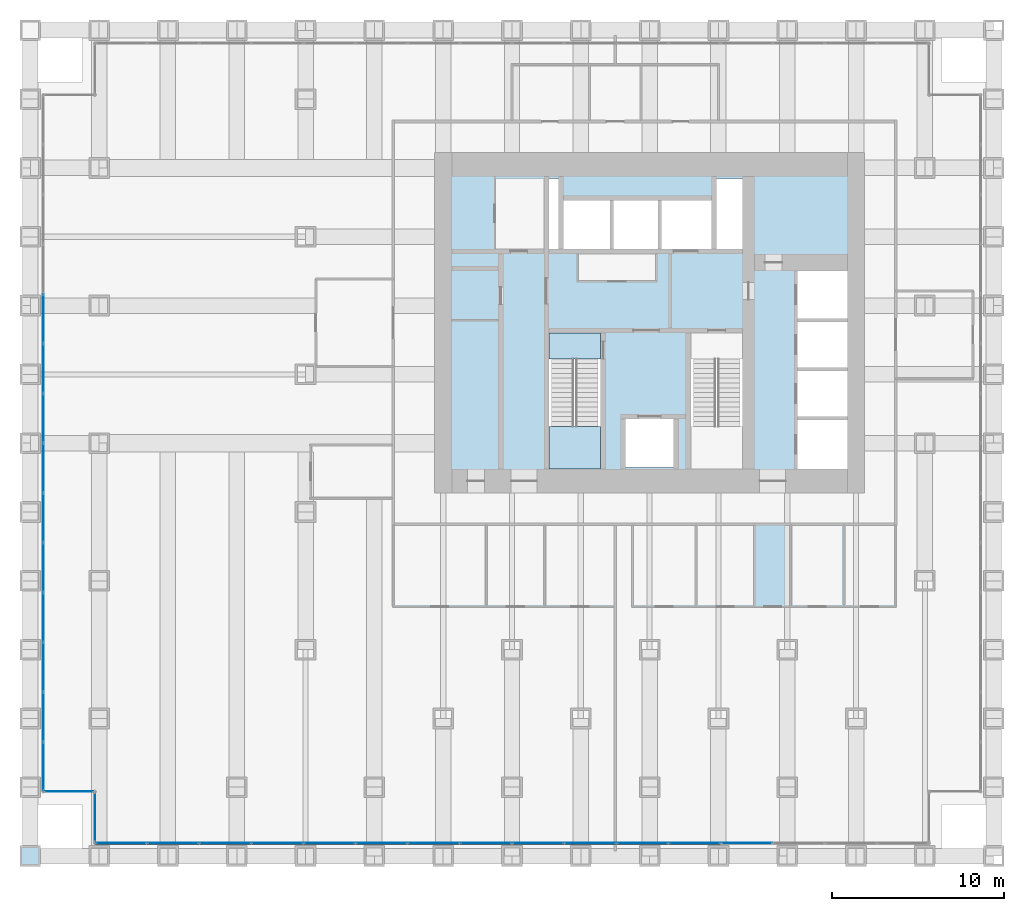
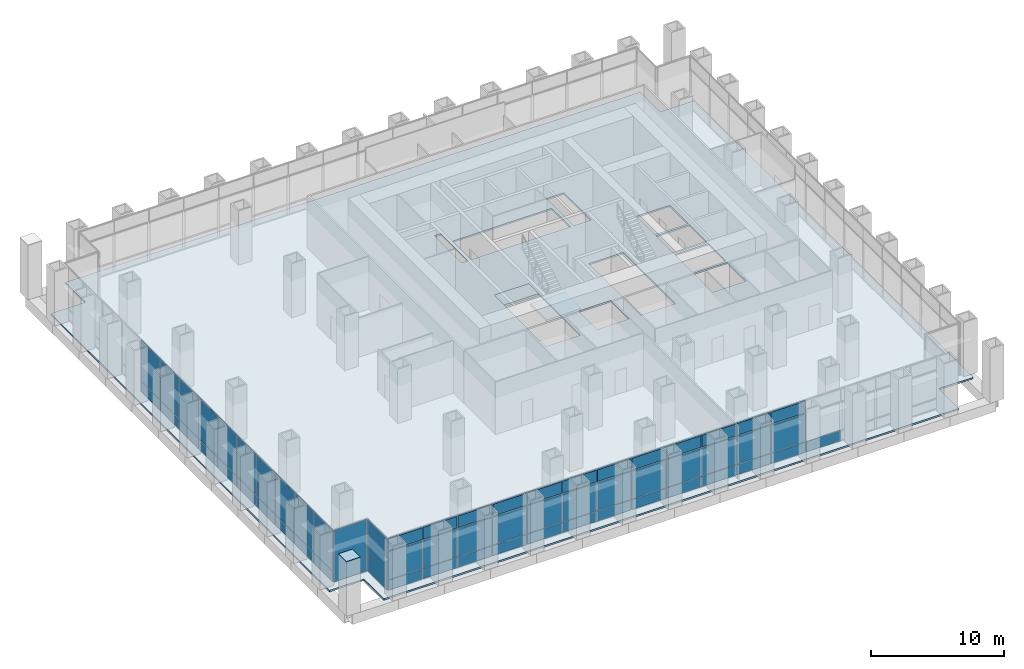
# One storey, part 12 of 18: 60 plates, 3 slabs, 6 elements without a shape of their own.
"""IFC4 building model written with IfcOpenShell, lengths in metres."""

from ifc_helpers import new_model, si_unit, direction, frame, origin, origin_2d, place, context, subcontext, project, spatial, polyline, rectangle, outline, extrude, material, layer, layer_set, type_object, element, aggregate, save


model = new_model("IFC4")

# Units and contexts
model_context = context("Model", 3, precision=1e-05, world=origin(), true_north=direction((0.0, 1.0)))
body_context = subcontext(model_context, "Body", "Model", "MODEL_VIEW")
ifc_project = project(units=[si_unit("LENGTHUNIT", "METRE"), si_unit("AREAUNIT", "SQUARE_METRE"), si_unit("VOLUMEUNIT", "CUBIC_METRE"), si_unit("PLANEANGLEUNIT", "RADIAN"), si_unit("MASSUNIT", "GRAM", prefix="KILO")], contexts=[model_context])

# Site, building, storey
site_placement = place(None, origin())
site = spatial("IfcSite", under=ifc_project, at=site_placement, CompositionType="ELEMENT")
building_placement = place(site_placement, origin())
building = spatial("IfcBuilding", under=site, at=building_placement, Name="Rimbunsela Tower", CompositionType="ELEMENT")
storey_placement = place(building_placement, frame((0.0, 0.0, 6.0)))
storey = spatial("IfcBuildingStorey", under=building, at=storey_placement, Name="L01", CompositionType="ELEMENT", Elevation=6.0)

# Plate
ifc_material_1 = material(Name="Steel BJ 55 (fy 410 MPa)", Category="steel")
ifc_layer_1 = layer(ifc_material_1, 0.050048828125)
ifc_layer_set_1 = layer_set([ifc_layer_1], Name="End cap plate 50")
plate_type_1 = type_object("IfcPlateType", Name="End cap plate 50", PredefinedType="SHEET", material=ifc_layer_set_1)
plate_1_placement = place(storey_placement, frame((-6.0, -4.0, 5.0), z_axis=(0.0, 0.0, 1.0), x_axis=(1.0, 0.0, 0.0)))
element("IfcPlate", 1, at=plate_1_placement, inside=storey, type_object=plate_type_1, Name="End cap Column C6 1/A L01", PredefinedType="SHEET", context=body_context, shape_type="SweptSolid", body=[
    extrude(rectangle(XDim=1.199951171875, YDim=1.199951171875, at=origin_2d()), origin(), (0.0, 0.0, 1.0), 0.050048828125),
])

# Slab
ifc_material_2 = material(Name="Concrete fc' 35 MPa", Category="concrete")
ifc_layer_2 = layer(ifc_material_2, 0.14990234375)
ifc_layer_set_2 = layer_set([ifc_layer_2], Name="Floor slab 150")
slab_type_1 = type_object("IfcSlabType", Name="Floor slab 150", PredefinedType="FLOOR", material=ifc_layer_set_2)
slab_1_placement = place(storey_placement, frame((0.0, 0.0, -0.14990234375)))
element("IfcSlab", 2, at=slab_1_placement, inside=storey, type_object=slab_type_1, Name="Floor slab L01", PredefinedType="FLOOR", context=body_context, shape_type="SweptSolid", body=[
    extrude(outline(polyline([(-3.0, -4.0), (47.0, -4.0), (47.0, -1.0), (50.0, -1.0), (50.0, 41.0), (47.0, 41.0), (47.0, 44.0), (-3.0, 44.0), (-3.0, 41.0), (-6.0, 41.0), (-6.0, -1.0), (-3.0, -1.0), (-3.0, -4.0)]), holes=[polyline([(27.14990234375, 18.60009765625), (27.14990234375, 26.39990234375), (24.14990234375, 26.39990234375), (24.14990234375, 18.60009765625), (27.14990234375, 18.60009765625)]), polyline([(24.699951171875, 31.300048828125), (24.699951171875, 35.39990234375), (24.14990234375, 35.39990234375), (24.14990234375, 31.300048828125), (24.699951171875, 31.300048828125)]), polyline([(25.0, 34.10009765625), (25.0, 31.300048828125), (33.60009765625, 31.300048828125), (33.60009765625, 34.10009765625), (25.0, 34.10009765625)]), polyline([(31.39990234375, 21.39990234375), (28.60009765625, 21.39990234375), (28.60009765625, 18.60009765625), (31.39990234375, 18.60009765625), (31.39990234375, 21.39990234375)]), polyline([(35.39990234375, 18.60009765625), (35.39990234375, 26.39990234375), (32.39990234375, 26.39990234375), (32.39990234375, 18.60009765625), (35.39990234375, 18.60009765625)]), polyline([(35.39990234375, 31.300048828125), (35.39990234375, 35.39990234375), (33.89990234375, 35.39990234375), (33.89990234375, 31.300048828125), (35.39990234375, 31.300048828125)]), polyline([(41.5, 21.35009765625), (38.60009765625, 21.35009765625), (38.60009765625, 18.5), (41.5, 18.5), (41.5, 21.35009765625)]), polyline([(41.5, 21.550048828125), (41.5, 24.199951171875), (38.60009765625, 24.199951171875), (38.60009765625, 21.550048828125), (41.5, 21.550048828125)]), polyline([(41.5, 27.050048828125), (38.60009765625, 27.050048828125), (38.60009765625, 24.39990234375), (41.5, 24.39990234375), (41.5, 27.050048828125)]), polyline([(41.5, 27.25), (41.5, 30.0), (38.60009765625, 30.0), (38.60009765625, 27.25), (41.5, 27.25)])]), origin(), (0.0, 0.0, 1.0), 0.14990234375),
])

# Curtain wall, plate
ifc_material_3 = material(Name="Aluminium curtain wall", Category="aluminium")
curtain_wall_type_1 = type_object("IfcCurtainWallType", Name="Corner glazing", PredefinedType="USERDEFINED", material=ifc_material_3)
curtain_wall_1_placement = place(storey_placement, origin())
curtain_wall_1 = element("IfcCurtainWall", 3, at=curtain_wall_1_placement, inside=storey, type_object=curtain_wall_type_1, Name="Corner glazing L01", ObjectType="CORNER GLAZING", PredefinedType="USERDEFINED")
ifc_material_4 = material(Name="Clear double glazing", Category="glass")
ifc_layer_3 = layer(ifc_material_4, 0.028076171875)
ifc_layer_set_3 = layer_set([ifc_layer_3], Name="Glazed panel clear")
plate_type_2 = type_object("IfcPlateType", Name="Glazed panel clear", PredefinedType="CURTAIN_PANEL", material=ifc_layer_set_3)
plate_2_placement = place(storey_placement, frame((-3.75, -0.25, 0.06005859375), z_axis=(0.0, 0.0, 1.0), x_axis=(1.0, 0.0, 0.0)))
plate_2 = element("IfcPlate", 4, at=plate_2_placement, type_object=plate_type_2, Name="CW5 panel 1.1", PredefinedType="CURTAIN_PANEL", context=body_context, shape_type="SweptSolid", body=[
    extrude(rectangle(XDim=2.8798828125, YDim=0.028076171875, at=origin_2d()), origin(), (0.0, 0.0, 1.0), 4.72998046875),
])
aggregate(curtain_wall_1, [plate_2])

curtain_wall_2_placement = place(storey_placement, origin())
curtain_wall_2 = element("IfcCurtainWall", 5, at=curtain_wall_2_placement, inside=storey, type_object=curtain_wall_type_1, Name="Corner glazing L01", ObjectType="CORNER GLAZING", PredefinedType="USERDEFINED")
plate_3_placement = place(storey_placement, frame((-2.25, -1.75, 0.06005859375), z_axis=(0.0, 0.0, 1.0), x_axis=(0.0, -1.0, 0.0)))
plate_3 = element("IfcPlate", 6, at=plate_3_placement, type_object=plate_type_2, Name="CW5 panel 1.1", PredefinedType="CURTAIN_PANEL", context=body_context, shape_type="SweptSolid", body=[
    extrude(rectangle(XDim=2.8798828125, YDim=0.028076171875, at=origin_2d()), origin(), (0.0, 0.0, 1.0), 4.72998046875),
])
aggregate(curtain_wall_2, [plate_3])

# Curtain wall, plates
ifc_material_5 = material(Name="Aluminium curtain wall", Category="aluminium")
curtain_wall_type_2 = type_object("IfcCurtainWallType", Name="Podium glazing", PredefinedType="USERDEFINED", material=ifc_material_5)
curtain_wall_3_placement = place(storey_placement, origin())
curtain_wall_3 = element("IfcCurtainWall", 7, at=curtain_wall_3_placement, inside=storey, type_object=curtain_wall_type_2, Name="Podium glazing L01", ObjectType="PODIUM GLAZING", PredefinedType="USERDEFINED")
ifc_material_6 = material(Name="Laminated double glazing", Category="glass")
ifc_layer_4 = layer(ifc_material_6, 0.0400390625)
ifc_layer_set_4 = layer_set([ifc_layer_4], Name="Glazed panel laminated 40")
plate_type_3 = type_object("IfcPlateType", Name="Glazed panel laminated 40", PredefinedType="CURTAIN_PANEL", material=ifc_layer_set_4)
plate_4_placement = place(storey_placement, frame((-5.25, 27.232177734375, 0.06005859375), z_axis=(0.0, 0.0, 1.0), x_axis=(0.0, -1.0, 0.0)))
plate_4 = element("IfcPlate", 8, at=plate_4_placement, type_object=plate_type_3, Name="CW1 panel 5.1", PredefinedType="CURTAIN_PANEL", context=body_context, shape_type="SweptSolid", body=[
    extrude(rectangle(XDim=2.832763671875, YDim=0.0400390625, at=origin_2d()), origin(), (0.0, 0.0, 1.0), 0.909912109375),
])
plate_5_placement = place(storey_placement, frame((-5.25, 27.232177734375, 1.02978515625), z_axis=(0.0, 0.0, 1.0), x_axis=(0.0, -1.0, 0.0)))
plate_5 = element("IfcPlate", 9, at=plate_5_placement, type_object=plate_type_3, Name="CW1 panel 5.2", PredefinedType="CURTAIN_PANEL", context=body_context, shape_type="SweptSolid", body=[
    extrude(rectangle(XDim=2.832763671875, YDim=0.0400390625, at=origin_2d()), origin(), (0.0, 0.0, 1.0), 3.760009765625),
])
plate_6_placement = place(storey_placement, frame((-5.25, 24.33935546875, 0.06005859375), z_axis=(0.0, 0.0, 1.0), x_axis=(0.0, -1.0, 0.0)))
plate_6 = element("IfcPlate", 10, at=plate_6_placement, type_object=plate_type_3, Name="CW1 panel 6.1", PredefinedType="CURTAIN_PANEL", context=body_context, shape_type="SweptSolid", body=[
    extrude(rectangle(XDim=2.832763671875, YDim=0.0400390625, at=origin_2d()), origin(), (0.0, 0.0, 1.0), 0.909912109375),
])
plate_7_placement = place(storey_placement, frame((-5.25, 24.33935546875, 1.02978515625), z_axis=(0.0, 0.0, 1.0), x_axis=(0.0, -1.0, 0.0)))
plate_7 = element("IfcPlate", 11, at=plate_7_placement, type_object=plate_type_3, Name="CW1 panel 6.2", PredefinedType="CURTAIN_PANEL", context=body_context, shape_type="SweptSolid", body=[
    extrude(rectangle(XDim=2.832763671875, YDim=0.0400390625, at=origin_2d()), origin(), (0.0, 0.0, 1.0), 3.760009765625),
])
plate_8_placement = place(storey_placement, frame((-5.25, 21.446533203125, 0.06005859375), z_axis=(0.0, 0.0, 1.0), x_axis=(0.0, -1.0, 0.0)))
plate_8 = element("IfcPlate", 12, at=plate_8_placement, type_object=plate_type_3, Name="CW1 panel 7.1", PredefinedType="CURTAIN_PANEL", context=body_context, shape_type="SweptSolid", body=[
    extrude(rectangle(XDim=2.832763671875, YDim=0.0400390625, at=origin_2d()), origin(), (0.0, 0.0, 1.0), 0.909912109375),
])
plate_9_placement = place(storey_placement, frame((-5.25, 21.446533203125, 1.02978515625), z_axis=(0.0, 0.0, 1.0), x_axis=(0.0, -1.0, 0.0)))
plate_9 = element("IfcPlate", 13, at=plate_9_placement, type_object=plate_type_3, Name="CW1 panel 7.2", PredefinedType="CURTAIN_PANEL", context=body_context, shape_type="SweptSolid", body=[
    extrude(rectangle(XDim=2.832763671875, YDim=0.0400390625, at=origin_2d()), origin(), (0.0, 0.0, 1.0), 3.760009765625),
])
plate_10_placement = place(storey_placement, frame((-5.25, 18.553466796875, 0.06005859375), z_axis=(0.0, 0.0, 1.0), x_axis=(0.0, -1.0, 0.0)))
plate_10 = element("IfcPlate", 14, at=plate_10_placement, type_object=plate_type_3, Name="CW1 panel 8.1", PredefinedType="CURTAIN_PANEL", context=body_context, shape_type="SweptSolid", body=[
    extrude(rectangle(XDim=2.832763671875, YDim=0.0400390625, at=origin_2d()), origin(), (0.0, 0.0, 1.0), 0.909912109375),
])
plate_11_placement = place(storey_placement, frame((-5.25, 18.553466796875, 1.02978515625), z_axis=(0.0, 0.0, 1.0), x_axis=(0.0, -1.0, 0.0)))
plate_11 = element("IfcPlate", 15, at=plate_11_placement, type_object=plate_type_3, Name="CW1 panel 8.2", PredefinedType="CURTAIN_PANEL", context=body_context, shape_type="SweptSolid", body=[
    extrude(rectangle(XDim=2.832763671875, YDim=0.0400390625, at=origin_2d()), origin(), (0.0, 0.0, 1.0), 3.760009765625),
])
plate_12_placement = place(storey_placement, frame((-5.25, 15.66064453125, 0.06005859375), z_axis=(0.0, 0.0, 1.0), x_axis=(0.0, -1.0, 0.0)))
plate_12 = element("IfcPlate", 16, at=plate_12_placement, type_object=plate_type_3, Name="CW1 panel 9.1", PredefinedType="CURTAIN_PANEL", context=body_context, shape_type="SweptSolid", body=[
    extrude(rectangle(XDim=2.832763671875, YDim=0.0400390625, at=origin_2d()), origin(), (0.0, 0.0, 1.0), 0.909912109375),
])
plate_13_placement = place(storey_placement, frame((-5.25, 15.66064453125, 1.02978515625), z_axis=(0.0, 0.0, 1.0), x_axis=(0.0, -1.0, 0.0)))
plate_13 = element("IfcPlate", 17, at=plate_13_placement, type_object=plate_type_3, Name="CW1 panel 9.2", PredefinedType="CURTAIN_PANEL", context=body_context, shape_type="SweptSolid", body=[
    extrude(rectangle(XDim=2.832763671875, YDim=0.0400390625, at=origin_2d()), origin(), (0.0, 0.0, 1.0), 3.760009765625),
])
plate_14_placement = place(storey_placement, frame((-5.25, 12.767822265625, 0.06005859375), z_axis=(0.0, 0.0, 1.0), x_axis=(0.0, -1.0, 0.0)))
plate_14 = element("IfcPlate", 18, at=plate_14_placement, type_object=plate_type_3, Name="CW1 panel 10.1", PredefinedType="CURTAIN_PANEL", context=body_context, shape_type="SweptSolid", body=[
    extrude(rectangle(XDim=2.832763671875, YDim=0.0400390625, at=origin_2d()), origin(), (0.0, 0.0, 1.0), 0.909912109375),
])
plate_15_placement = place(storey_placement, frame((-5.25, 12.767822265625, 1.02978515625), z_axis=(0.0, 0.0, 1.0), x_axis=(0.0, -1.0, 0.0)))
plate_15 = element("IfcPlate", 19, at=plate_15_placement, type_object=plate_type_3, Name="CW1 panel 10.2", PredefinedType="CURTAIN_PANEL", context=body_context, shape_type="SweptSolid", body=[
    extrude(rectangle(XDim=2.832763671875, YDim=0.0400390625, at=origin_2d()), origin(), (0.0, 0.0, 1.0), 3.760009765625),
])
plate_16_placement = place(storey_placement, frame((-5.25, 9.875, 0.06005859375), z_axis=(0.0, 0.0, 1.0), x_axis=(0.0, -1.0, 0.0)))
plate_16 = element("IfcPlate", 20, at=plate_16_placement, type_object=plate_type_3, Name="CW1 panel 11.1", PredefinedType="CURTAIN_PANEL", context=body_context, shape_type="SweptSolid", body=[
    extrude(rectangle(XDim=2.832763671875, YDim=0.0400390625, at=origin_2d()), origin(), (0.0, 0.0, 1.0), 0.909912109375),
])
plate_17_placement = place(storey_placement, frame((-5.25, 9.875, 1.02978515625), z_axis=(0.0, 0.0, 1.0), x_axis=(0.0, -1.0, 0.0)))
plate_17 = element("IfcPlate", 21, at=plate_17_placement, type_object=plate_type_3, Name="CW1 panel 11.2", PredefinedType="CURTAIN_PANEL", context=body_context, shape_type="SweptSolid", body=[
    extrude(rectangle(XDim=2.832763671875, YDim=0.0400390625, at=origin_2d()), origin(), (0.0, 0.0, 1.0), 3.760009765625),
])
plate_18_placement = place(storey_placement, frame((-5.25, 6.982177734375, 0.06005859375), z_axis=(0.0, 0.0, 1.0), x_axis=(0.0, -1.0, 0.0)))
plate_18 = element("IfcPlate", 22, at=plate_18_placement, type_object=plate_type_3, Name="CW1 panel 12.1", PredefinedType="CURTAIN_PANEL", context=body_context, shape_type="SweptSolid", body=[
    extrude(rectangle(XDim=2.832763671875, YDim=0.0400390625, at=origin_2d()), origin(), (0.0, 0.0, 1.0), 0.909912109375),
])
plate_19_placement = place(storey_placement, frame((-5.25, 6.982177734375, 1.02978515625), z_axis=(0.0, 0.0, 1.0), x_axis=(0.0, -1.0, 0.0)))
plate_19 = element("IfcPlate", 23, at=plate_19_placement, type_object=plate_type_3, Name="CW1 panel 12.2", PredefinedType="CURTAIN_PANEL", context=body_context, shape_type="SweptSolid", body=[
    extrude(rectangle(XDim=2.832763671875, YDim=0.0400390625, at=origin_2d()), origin(), (0.0, 0.0, 1.0), 3.760009765625),
])
plate_20_placement = place(storey_placement, frame((-5.25, 4.08935546875, 0.06005859375), z_axis=(0.0, 0.0, 1.0), x_axis=(0.0, -1.0, 0.0)))
plate_20 = element("IfcPlate", 24, at=plate_20_placement, type_object=plate_type_3, Name="CW1 panel 13.1", PredefinedType="CURTAIN_PANEL", context=body_context, shape_type="SweptSolid", body=[
    extrude(rectangle(XDim=2.832763671875, YDim=0.0400390625, at=origin_2d()), origin(), (0.0, 0.0, 1.0), 0.909912109375),
])
plate_21_placement = place(storey_placement, frame((-5.25, 4.08935546875, 1.02978515625), z_axis=(0.0, 0.0, 1.0), x_axis=(0.0, -1.0, 0.0)))
plate_21 = element("IfcPlate", 25, at=plate_21_placement, type_object=plate_type_3, Name="CW1 panel 13.2", PredefinedType="CURTAIN_PANEL", context=body_context, shape_type="SweptSolid", body=[
    extrude(rectangle(XDim=2.832763671875, YDim=0.0400390625, at=origin_2d()), origin(), (0.0, 0.0, 1.0), 3.760009765625),
])
plate_22_placement = place(storey_placement, frame((-5.25, 1.21142578125, 0.06005859375), z_axis=(0.0, 0.0, 1.0), x_axis=(0.0, -1.0, 0.0)))
plate_22 = element("IfcPlate", 26, at=plate_22_placement, type_object=plate_type_3, Name="CW1 panel 14.1", PredefinedType="CURTAIN_PANEL", context=body_context, shape_type="SweptSolid", body=[
    extrude(rectangle(XDim=2.802978515625, YDim=0.0400390625, at=origin_2d()), origin(), (0.0, 0.0, 1.0), 0.909912109375),
])
plate_23_placement = place(storey_placement, frame((-5.25, 1.21142578125, 1.02978515625), z_axis=(0.0, 0.0, 1.0), x_axis=(0.0, -1.0, 0.0)))
plate_23 = element("IfcPlate", 27, at=plate_23_placement, type_object=plate_type_3, Name="CW1 panel 14.2", PredefinedType="CURTAIN_PANEL", context=body_context, shape_type="SweptSolid", body=[
    extrude(rectangle(XDim=2.802978515625, YDim=0.0400390625, at=origin_2d()), origin(), (0.0, 0.0, 1.0), 3.760009765625),
])
aggregate(curtain_wall_3, [plate_4, plate_5, plate_6, plate_7, plate_8, plate_9, plate_10, plate_11, plate_12, plate_13, plate_14, plate_15, plate_16, plate_17, plate_18, plate_19, plate_20, plate_21, plate_22, plate_23])

curtain_wall_4_placement = place(storey_placement, origin())
curtain_wall_4 = element("IfcCurtainWall", 28, at=curtain_wall_4_placement, inside=storey, type_object=curtain_wall_type_2, Name="Podium glazing L01", ObjectType="PODIUM GLAZING", PredefinedType="USERDEFINED")
plate_24_placement = place(storey_placement, frame((-0.719482421875, -3.25, 0.06005859375), z_axis=(0.0, 0.0, 1.0), x_axis=(1.0, 0.0, 0.0)))
plate_24 = element("IfcPlate", 29, at=plate_24_placement, type_object=plate_type_3, Name="CW1 panel 1.1", PredefinedType="CURTAIN_PANEL", context=body_context, shape_type="SweptSolid", body=[
    extrude(rectangle(XDim=2.941162109375, YDim=0.0400390625, at=origin_2d()), origin(), (0.0, 0.0, 1.0), 0.909912109375),
])
plate_25_placement = place(storey_placement, frame((-0.719482421875, -3.25, 1.030029296875), z_axis=(0.0, 0.0, 1.0), x_axis=(1.0, 0.0, 0.0)))
plate_25 = element("IfcPlate", 30, at=plate_25_placement, type_object=plate_type_3, Name="CW1 panel 1.2", PredefinedType="CURTAIN_PANEL", context=body_context, shape_type="SweptSolid", body=[
    extrude(rectangle(XDim=2.941162109375, YDim=0.0400390625, at=origin_2d()), origin(), (0.0, 0.0, 1.0), 2.56005859375),
])
plate_26_placement = place(storey_placement, frame((2.296875, -3.25, 0.06005859375), z_axis=(0.0, 0.0, 1.0), x_axis=(1.0, 0.0, 0.0)))
plate_26 = element("IfcPlate", 31, at=plate_26_placement, type_object=plate_type_3, Name="CW1 panel 2.1", PredefinedType="CURTAIN_PANEL", context=body_context, shape_type="SweptSolid", body=[
    extrude(rectangle(XDim=2.97119140625, YDim=0.0400390625, at=origin_2d()), origin(), (0.0, 0.0, 1.0), 0.909912109375),
])
plate_27_placement = place(storey_placement, frame((2.296875, -3.25, 1.030029296875), z_axis=(0.0, 0.0, 1.0), x_axis=(1.0, 0.0, 0.0)))
plate_27 = element("IfcPlate", 32, at=plate_27_placement, type_object=plate_type_3, Name="CW1 panel 2.2", PredefinedType="CURTAIN_PANEL", context=body_context, shape_type="SweptSolid", body=[
    extrude(rectangle(XDim=2.97119140625, YDim=0.0400390625, at=origin_2d()), origin(), (0.0, 0.0, 1.0), 2.56005859375),
])
plate_28_placement = place(storey_placement, frame((5.328125, -3.25, 0.06005859375), z_axis=(0.0, 0.0, 1.0), x_axis=(1.0, 0.0, 0.0)))
plate_28 = element("IfcPlate", 33, at=plate_28_placement, type_object=plate_type_3, Name="CW1 panel 3.1", PredefinedType="CURTAIN_PANEL", context=body_context, shape_type="SweptSolid", body=[
    extrude(rectangle(XDim=2.97119140625, YDim=0.0400390625, at=origin_2d()), origin(), (0.0, 0.0, 1.0), 0.909912109375),
])
plate_29_placement = place(storey_placement, frame((5.328125, -3.25, 1.030029296875), z_axis=(0.0, 0.0, 1.0), x_axis=(1.0, 0.0, 0.0)))
plate_29 = element("IfcPlate", 34, at=plate_29_placement, type_object=plate_type_3, Name="CW1 panel 3.2", PredefinedType="CURTAIN_PANEL", context=body_context, shape_type="SweptSolid", body=[
    extrude(rectangle(XDim=2.97119140625, YDim=0.0400390625, at=origin_2d()), origin(), (0.0, 0.0, 1.0), 2.56005859375),
])
plate_30_placement = place(storey_placement, frame((8.359375, -3.25, 0.06005859375), z_axis=(0.0, 0.0, 1.0), x_axis=(1.0, 0.0, 0.0)))
plate_30 = element("IfcPlate", 35, at=plate_30_placement, type_object=plate_type_3, Name="CW1 panel 4.1", PredefinedType="CURTAIN_PANEL", context=body_context, shape_type="SweptSolid", body=[
    extrude(rectangle(XDim=2.97119140625, YDim=0.0400390625, at=origin_2d()), origin(), (0.0, 0.0, 1.0), 0.909912109375),
])
plate_31_placement = place(storey_placement, frame((8.359375, -3.25, 1.030029296875), z_axis=(0.0, 0.0, 1.0), x_axis=(1.0, 0.0, 0.0)))
plate_31 = element("IfcPlate", 36, at=plate_31_placement, type_object=plate_type_3, Name="CW1 panel 4.2", PredefinedType="CURTAIN_PANEL", context=body_context, shape_type="SweptSolid", body=[
    extrude(rectangle(XDim=2.97119140625, YDim=0.0400390625, at=origin_2d()), origin(), (0.0, 0.0, 1.0), 2.56005859375),
])
plate_32_placement = place(storey_placement, frame((11.390625, -3.25, 0.06005859375), z_axis=(0.0, 0.0, 1.0), x_axis=(1.0, 0.0, 0.0)))
plate_32 = element("IfcPlate", 37, at=plate_32_placement, type_object=plate_type_3, Name="CW1 panel 5.1", PredefinedType="CURTAIN_PANEL", context=body_context, shape_type="SweptSolid", body=[
    extrude(rectangle(XDim=2.97119140625, YDim=0.0400390625, at=origin_2d()), origin(), (0.0, 0.0, 1.0), 0.909912109375),
])
plate_33_placement = place(storey_placement, frame((11.390625, -3.25, 1.030029296875), z_axis=(0.0, 0.0, 1.0), x_axis=(1.0, 0.0, 0.0)))
plate_33 = element("IfcPlate", 38, at=plate_33_placement, type_object=plate_type_3, Name="CW1 panel 5.2", PredefinedType="CURTAIN_PANEL", context=body_context, shape_type="SweptSolid", body=[
    extrude(rectangle(XDim=2.97119140625, YDim=0.0400390625, at=origin_2d()), origin(), (0.0, 0.0, 1.0), 2.56005859375),
])
plate_34_placement = place(storey_placement, frame((14.421875, -3.25, 0.06005859375), z_axis=(0.0, 0.0, 1.0), x_axis=(1.0, 0.0, 0.0)))
plate_34 = element("IfcPlate", 39, at=plate_34_placement, type_object=plate_type_3, Name="CW1 panel 6.1", PredefinedType="CURTAIN_PANEL", context=body_context, shape_type="SweptSolid", body=[
    extrude(rectangle(XDim=2.97119140625, YDim=0.0400390625, at=origin_2d()), origin(), (0.0, 0.0, 1.0), 0.909912109375),
])
plate_35_placement = place(storey_placement, frame((14.421875, -3.25, 1.030029296875), z_axis=(0.0, 0.0, 1.0), x_axis=(1.0, 0.0, 0.0)))
plate_35 = element("IfcPlate", 40, at=plate_35_placement, type_object=plate_type_3, Name="CW1 panel 6.2", PredefinedType="CURTAIN_PANEL", context=body_context, shape_type="SweptSolid", body=[
    extrude(rectangle(XDim=2.97119140625, YDim=0.0400390625, at=origin_2d()), origin(), (0.0, 0.0, 1.0), 2.56005859375),
])
plate_36_placement = place(storey_placement, frame((17.453125, -3.25, 0.06005859375), z_axis=(0.0, 0.0, 1.0), x_axis=(1.0, 0.0, 0.0)))
plate_36 = element("IfcPlate", 41, at=plate_36_placement, type_object=plate_type_3, Name="CW1 panel 7.1", PredefinedType="CURTAIN_PANEL", context=body_context, shape_type="SweptSolid", body=[
    extrude(rectangle(XDim=2.97119140625, YDim=0.0400390625, at=origin_2d()), origin(), (0.0, 0.0, 1.0), 0.909912109375),
])
plate_37_placement = place(storey_placement, frame((17.453125, -3.25, 1.030029296875), z_axis=(0.0, 0.0, 1.0), x_axis=(1.0, 0.0, 0.0)))
plate_37 = element("IfcPlate", 42, at=plate_37_placement, type_object=plate_type_3, Name="CW1 panel 7.2", PredefinedType="CURTAIN_PANEL", context=body_context, shape_type="SweptSolid", body=[
    extrude(rectangle(XDim=2.97119140625, YDim=0.0400390625, at=origin_2d()), origin(), (0.0, 0.0, 1.0), 2.56005859375),
])
plate_38_placement = place(storey_placement, frame((20.484375, -3.25, 0.06005859375), z_axis=(0.0, 0.0, 1.0), x_axis=(1.0, 0.0, 0.0)))
plate_38 = element("IfcPlate", 43, at=plate_38_placement, type_object=plate_type_3, Name="CW1 panel 8.1", PredefinedType="CURTAIN_PANEL", context=body_context, shape_type="SweptSolid", body=[
    extrude(rectangle(XDim=2.97119140625, YDim=0.0400390625, at=origin_2d()), origin(), (0.0, 0.0, 1.0), 0.909912109375),
])
plate_39_placement = place(storey_placement, frame((20.484375, -3.25, 1.030029296875), z_axis=(0.0, 0.0, 1.0), x_axis=(1.0, 0.0, 0.0)))
plate_39 = element("IfcPlate", 44, at=plate_39_placement, type_object=plate_type_3, Name="CW1 panel 8.2", PredefinedType="CURTAIN_PANEL", context=body_context, shape_type="SweptSolid", body=[
    extrude(rectangle(XDim=2.97119140625, YDim=0.0400390625, at=origin_2d()), origin(), (0.0, 0.0, 1.0), 2.56005859375),
])
plate_40_placement = place(storey_placement, frame((23.515625, -3.25, 0.06005859375), z_axis=(0.0, 0.0, 1.0), x_axis=(1.0, 0.0, 0.0)))
plate_40 = element("IfcPlate", 45, at=plate_40_placement, type_object=plate_type_3, Name="CW1 panel 9.1", PredefinedType="CURTAIN_PANEL", context=body_context, shape_type="SweptSolid", body=[
    extrude(rectangle(XDim=2.97119140625, YDim=0.0400390625, at=origin_2d()), origin(), (0.0, 0.0, 1.0), 0.909912109375),
])
plate_41_placement = place(storey_placement, frame((23.515625, -3.25, 1.030029296875), z_axis=(0.0, 0.0, 1.0), x_axis=(1.0, 0.0, 0.0)))
plate_41 = element("IfcPlate", 46, at=plate_41_placement, type_object=plate_type_3, Name="CW1 panel 9.2", PredefinedType="CURTAIN_PANEL", context=body_context, shape_type="SweptSolid", body=[
    extrude(rectangle(XDim=2.97119140625, YDim=0.0400390625, at=origin_2d()), origin(), (0.0, 0.0, 1.0), 2.56005859375),
])
plate_42_placement = place(storey_placement, frame((26.546875, -3.25, 0.06005859375), z_axis=(0.0, 0.0, 1.0), x_axis=(1.0, 0.0, 0.0)))
plate_42 = element("IfcPlate", 47, at=plate_42_placement, type_object=plate_type_3, Name="CW1 panel 10.1", PredefinedType="CURTAIN_PANEL", context=body_context, shape_type="SweptSolid", body=[
    extrude(rectangle(XDim=2.97119140625, YDim=0.0400390625, at=origin_2d()), origin(), (0.0, 0.0, 1.0), 0.909912109375),
])
plate_43_placement = place(storey_placement, frame((26.546875, -3.25, 1.030029296875), z_axis=(0.0, 0.0, 1.0), x_axis=(1.0, 0.0, 0.0)))
plate_43 = element("IfcPlate", 48, at=plate_43_placement, type_object=plate_type_3, Name="CW1 panel 10.2", PredefinedType="CURTAIN_PANEL", context=body_context, shape_type="SweptSolid", body=[
    extrude(rectangle(XDim=2.97119140625, YDim=0.0400390625, at=origin_2d()), origin(), (0.0, 0.0, 1.0), 2.56005859375),
])
plate_44_placement = place(storey_placement, frame((29.578125, -3.25, 0.06005859375), z_axis=(0.0, 0.0, 1.0), x_axis=(1.0, 0.0, 0.0)))
plate_44 = element("IfcPlate", 49, at=plate_44_placement, type_object=plate_type_3, Name="CW1 panel 11.1", PredefinedType="CURTAIN_PANEL", context=body_context, shape_type="SweptSolid", body=[
    extrude(rectangle(XDim=2.97119140625, YDim=0.0400390625, at=origin_2d()), origin(), (0.0, 0.0, 1.0), 0.909912109375),
])
plate_45_placement = place(storey_placement, frame((29.578125, -3.25, 1.030029296875), z_axis=(0.0, 0.0, 1.0), x_axis=(1.0, 0.0, 0.0)))
plate_45 = element("IfcPlate", 50, at=plate_45_placement, type_object=plate_type_3, Name="CW1 panel 11.2", PredefinedType="CURTAIN_PANEL", context=body_context, shape_type="SweptSolid", body=[
    extrude(rectangle(XDim=2.97119140625, YDim=0.0400390625, at=origin_2d()), origin(), (0.0, 0.0, 1.0), 2.56005859375),
])
plate_46_placement = place(storey_placement, frame((32.609375, -3.25, 0.06005859375), z_axis=(0.0, 0.0, 1.0), x_axis=(1.0, 0.0, 0.0)))
plate_46 = element("IfcPlate", 51, at=plate_46_placement, type_object=plate_type_3, Name="CW1 panel 12.1", PredefinedType="CURTAIN_PANEL", context=body_context, shape_type="SweptSolid", body=[
    extrude(rectangle(XDim=2.97119140625, YDim=0.0400390625, at=origin_2d()), origin(), (0.0, 0.0, 1.0), 0.909912109375),
])
plate_47_placement = place(storey_placement, frame((32.609375, -3.25, 1.030029296875), z_axis=(0.0, 0.0, 1.0), x_axis=(1.0, 0.0, 0.0)))
plate_47 = element("IfcPlate", 52, at=plate_47_placement, type_object=plate_type_3, Name="CW1 panel 12.2", PredefinedType="CURTAIN_PANEL", context=body_context, shape_type="SweptSolid", body=[
    extrude(rectangle(XDim=2.97119140625, YDim=0.0400390625, at=origin_2d()), origin(), (0.0, 0.0, 1.0), 2.56005859375),
])
plate_48_placement = place(storey_placement, frame((35.640625, -3.25, 0.06005859375), z_axis=(0.0, 0.0, 1.0), x_axis=(1.0, 0.0, 0.0)))
plate_48 = element("IfcPlate", 53, at=plate_48_placement, type_object=plate_type_3, Name="CW1 panel 13.1", PredefinedType="CURTAIN_PANEL", context=body_context, shape_type="SweptSolid", body=[
    extrude(rectangle(XDim=2.97119140625, YDim=0.0400390625, at=origin_2d()), origin(), (0.0, 0.0, 1.0), 0.909912109375),
])
aggregate(curtain_wall_4, [plate_24, plate_25, plate_26, plate_27, plate_28, plate_29, plate_30, plate_31, plate_32, plate_33, plate_34, plate_35, plate_36, plate_37, plate_38, plate_39, plate_40, plate_41, plate_42, plate_43, plate_44, plate_45, plate_46, plate_47, plate_48])

ifc_material_7 = material(Name="Aluminium curtain wall", Category="aluminium")
curtain_wall_type_3 = type_object("IfcCurtainWallType", Name="Spandrel wall", PredefinedType="USERDEFINED", material=ifc_material_7)
curtain_wall_5_placement = place(storey_placement, origin())
curtain_wall_5 = element("IfcCurtainWall", 54, at=curtain_wall_5_placement, inside=storey, type_object=curtain_wall_type_3, Name="Spandrel wall L01", ObjectType="SPANDREL WALL", PredefinedType="USERDEFINED")
ifc_material_8 = material(Name="Insulated aluminium spandrel panel", Category="aluminium")
ifc_layer_5 = layer(ifc_material_8, 0.10009765625)
ifc_layer_set_5 = layer_set([ifc_layer_5], Name="Insulated panel 100")
plate_type_4 = type_object("IfcPlateType", Name="Insulated panel 100", PredefinedType="CURTAIN_PANEL", material=ifc_layer_set_5)
plate_49_placement = place(storey_placement, frame((-0.719482421875, -3.25, 3.7099609375), z_axis=(0.0, 0.0, 1.0), x_axis=(1.0, 0.0, 0.0)))
plate_49 = element("IfcPlate", 55, at=plate_49_placement, type_object=plate_type_4, Name="CW7 panel 1.1", PredefinedType="CURTAIN_PANEL", context=body_context, shape_type="SweptSolid", body=[
    extrude(rectangle(XDim=2.941162109375, YDim=0.10009765625, at=origin_2d()), origin(), (0.0, 0.0, 1.0), 1.080078125),
])
plate_50_placement = place(storey_placement, frame((2.296875, -3.25, 3.7099609375), z_axis=(0.0, 0.0, 1.0), x_axis=(1.0, 0.0, 0.0)))
plate_50 = element("IfcPlate", 56, at=plate_50_placement, type_object=plate_type_4, Name="CW7 panel 2.1", PredefinedType="CURTAIN_PANEL", context=body_context, shape_type="SweptSolid", body=[
    extrude(rectangle(XDim=2.97119140625, YDim=0.10009765625, at=origin_2d()), origin(), (0.0, 0.0, 1.0), 1.080078125),
])
plate_51_placement = place(storey_placement, frame((5.328125, -3.25, 3.7099609375), z_axis=(0.0, 0.0, 1.0), x_axis=(1.0, 0.0, 0.0)))
plate_51 = element("IfcPlate", 57, at=plate_51_placement, type_object=plate_type_4, Name="CW7 panel 3.1", PredefinedType="CURTAIN_PANEL", context=body_context, shape_type="SweptSolid", body=[
    extrude(rectangle(XDim=2.97119140625, YDim=0.10009765625, at=origin_2d()), origin(), (0.0, 0.0, 1.0), 1.080078125),
])
plate_52_placement = place(storey_placement, frame((8.359375, -3.25, 3.7099609375), z_axis=(0.0, 0.0, 1.0), x_axis=(1.0, 0.0, 0.0)))
plate_52 = element("IfcPlate", 58, at=plate_52_placement, type_object=plate_type_4, Name="CW7 panel 4.1", PredefinedType="CURTAIN_PANEL", context=body_context, shape_type="SweptSolid", body=[
    extrude(rectangle(XDim=2.97119140625, YDim=0.10009765625, at=origin_2d()), origin(), (0.0, 0.0, 1.0), 1.080078125),
])
plate_53_placement = place(storey_placement, frame((11.390625, -3.25, 3.7099609375), z_axis=(0.0, 0.0, 1.0), x_axis=(1.0, 0.0, 0.0)))
plate_53 = element("IfcPlate", 59, at=plate_53_placement, type_object=plate_type_4, Name="CW7 panel 5.1", PredefinedType="CURTAIN_PANEL", context=body_context, shape_type="SweptSolid", body=[
    extrude(rectangle(XDim=2.97119140625, YDim=0.10009765625, at=origin_2d()), origin(), (0.0, 0.0, 1.0), 1.080078125),
])
plate_54_placement = place(storey_placement, frame((14.421875, -3.25, 3.7099609375), z_axis=(0.0, 0.0, 1.0), x_axis=(1.0, 0.0, 0.0)))
plate_54 = element("IfcPlate", 60, at=plate_54_placement, type_object=plate_type_4, Name="CW7 panel 6.1", PredefinedType="CURTAIN_PANEL", context=body_context, shape_type="SweptSolid", body=[
    extrude(rectangle(XDim=2.97119140625, YDim=0.10009765625, at=origin_2d()), origin(), (0.0, 0.0, 1.0), 1.080078125),
])
plate_55_placement = place(storey_placement, frame((17.453125, -3.25, 3.7099609375), z_axis=(0.0, 0.0, 1.0), x_axis=(1.0, 0.0, 0.0)))
plate_55 = element("IfcPlate", 61, at=plate_55_placement, type_object=plate_type_4, Name="CW7 panel 7.1", PredefinedType="CURTAIN_PANEL", context=body_context, shape_type="SweptSolid", body=[
    extrude(rectangle(XDim=2.97119140625, YDim=0.10009765625, at=origin_2d()), origin(), (0.0, 0.0, 1.0), 1.080078125),
])
plate_56_placement = place(storey_placement, frame((20.484375, -3.25, 3.7099609375), z_axis=(0.0, 0.0, 1.0), x_axis=(1.0, 0.0, 0.0)))
plate_56 = element("IfcPlate", 62, at=plate_56_placement, type_object=plate_type_4, Name="CW7 panel 8.1", PredefinedType="CURTAIN_PANEL", context=body_context, shape_type="SweptSolid", body=[
    extrude(rectangle(XDim=2.97119140625, YDim=0.10009765625, at=origin_2d()), origin(), (0.0, 0.0, 1.0), 1.080078125),
])
plate_57_placement = place(storey_placement, frame((23.515625, -3.25, 3.7099609375), z_axis=(0.0, 0.0, 1.0), x_axis=(1.0, 0.0, 0.0)))
plate_57 = element("IfcPlate", 63, at=plate_57_placement, type_object=plate_type_4, Name="CW7 panel 9.1", PredefinedType="CURTAIN_PANEL", context=body_context, shape_type="SweptSolid", body=[
    extrude(rectangle(XDim=2.97119140625, YDim=0.10009765625, at=origin_2d()), origin(), (0.0, 0.0, 1.0), 1.080078125),
])
plate_58_placement = place(storey_placement, frame((26.546875, -3.25, 3.7099609375), z_axis=(0.0, 0.0, 1.0), x_axis=(1.0, 0.0, 0.0)))
plate_58 = element("IfcPlate", 64, at=plate_58_placement, type_object=plate_type_4, Name="CW7 panel 10.1", PredefinedType="CURTAIN_PANEL", context=body_context, shape_type="SweptSolid", body=[
    extrude(rectangle(XDim=2.97119140625, YDim=0.10009765625, at=origin_2d()), origin(), (0.0, 0.0, 1.0), 1.080078125),
])
plate_59_placement = place(storey_placement, frame((29.578125, -3.25, 3.7099609375), z_axis=(0.0, 0.0, 1.0), x_axis=(1.0, 0.0, 0.0)))
plate_59 = element("IfcPlate", 65, at=plate_59_placement, type_object=plate_type_4, Name="CW7 panel 11.1", PredefinedType="CURTAIN_PANEL", context=body_context, shape_type="SweptSolid", body=[
    extrude(rectangle(XDim=2.97119140625, YDim=0.10009765625, at=origin_2d()), origin(), (0.0, 0.0, 1.0), 1.080078125),
])
plate_60_placement = place(storey_placement, frame((32.609375, -3.25, 3.7099609375), z_axis=(0.0, 0.0, 1.0), x_axis=(1.0, 0.0, 0.0)))
plate_60 = element("IfcPlate", 66, at=plate_60_placement, type_object=plate_type_4, Name="CW7 panel 12.1", PredefinedType="CURTAIN_PANEL", context=body_context, shape_type="SweptSolid", body=[
    extrude(rectangle(XDim=2.97119140625, YDim=0.10009765625, at=origin_2d()), origin(), (0.0, 0.0, 1.0), 1.080078125),
])
aggregate(curtain_wall_5, [plate_49, plate_50, plate_51, plate_52, plate_53, plate_54, plate_55, plate_56, plate_57, plate_58, plate_59, plate_60])

# Stair, slabs
ifc_material_9 = material(Name="Concrete fc' 35 MPa", Category="concrete")
stair_type = type_object("IfcStairType", Name="Exit stair 30 risers", PredefinedType="HALF_TURN_STAIR", material=ifc_material_9)
stair_placement = place(storey_placement, origin())
stair = element("IfcStair", 67, at=stair_placement, inside=storey, type_object=stair_type, Name="Exit stair A L01", PredefinedType="HALF_TURN_STAIR")
ifc_material_10 = material(Name="Concrete fc' 35 MPa", Category="concrete")
ifc_layer_6 = layer(ifc_material_10, 0.199951171875)
ifc_layer_set_6 = layer_set([ifc_layer_6], Name="Stair landing 200")
slab_type_2 = type_object("IfcSlabType", Name="Stair landing 200", PredefinedType="LANDING", material=ifc_layer_set_6)
slab_2_placement = place(storey_placement, frame((0.0, 0.0, -0.199951171875)))
slab_2 = element("IfcSlab", 68, at=slab_2_placement, type_object=slab_type_2, Name="ST-A landing 1", PredefinedType="LANDING", context=body_context, shape_type="SweptSolid", body=[
    extrude(outline(polyline([(24.14990234375, 24.89990234375), (27.14990234375, 24.89990234375), (27.14990234375, 26.39990234375), (24.14990234375, 26.39990234375), (24.14990234375, 24.89990234375)])), origin(), (0.0, 0.0, 1.0), 0.199951171875),
])
slab_3_placement = place(storey_placement, frame((0.0, 0.0, 2.300048828125)))
slab_3 = element("IfcSlab", 69, at=slab_3_placement, type_object=slab_type_2, Name="ST-A landing 2", PredefinedType="LANDING", context=body_context, shape_type="SweptSolid", body=[
    extrude(outline(polyline([(24.14990234375, 18.5), (27.14990234375, 18.5), (27.14990234375, 20.97998046875), (24.14990234375, 20.97998046875), (24.14990234375, 18.5)])), origin(), (0.0, 0.0, 1.0), 0.199951171875),
])
aggregate(stair, [slab_2, slab_3])

save(model, "model.ifc")
